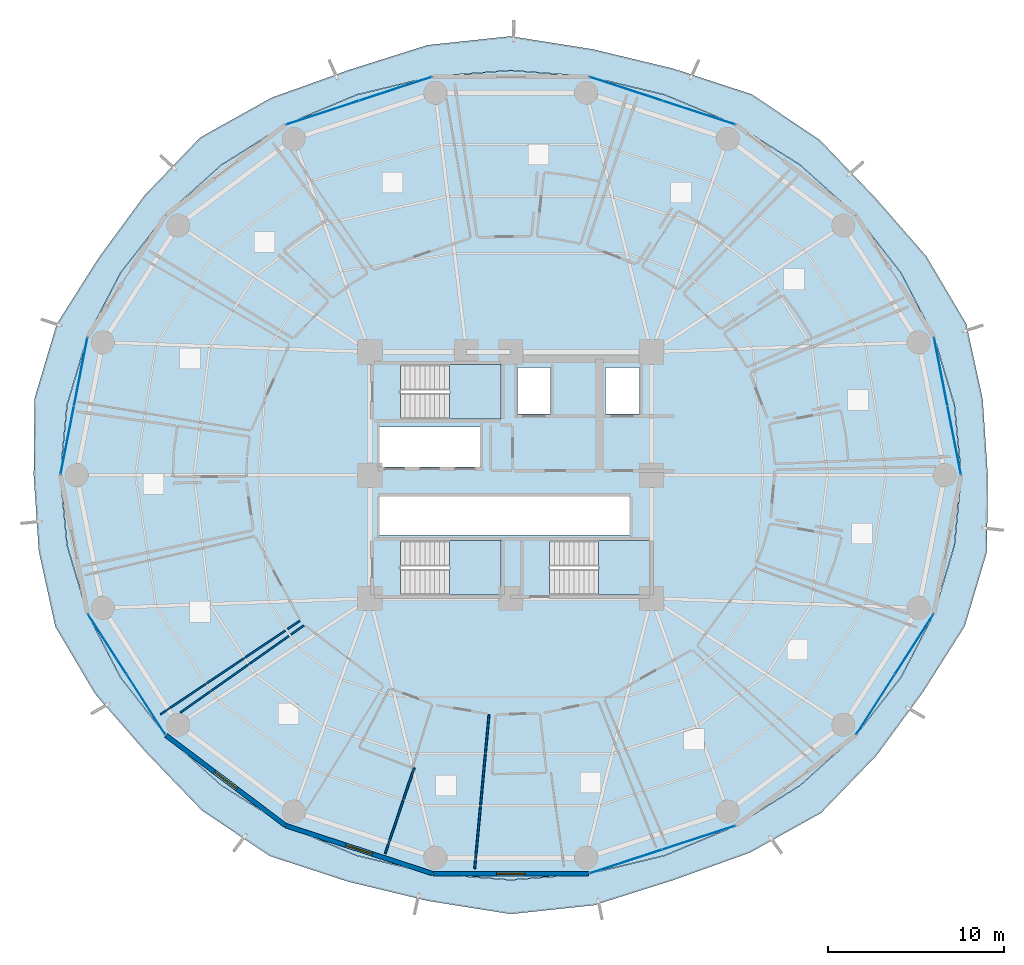
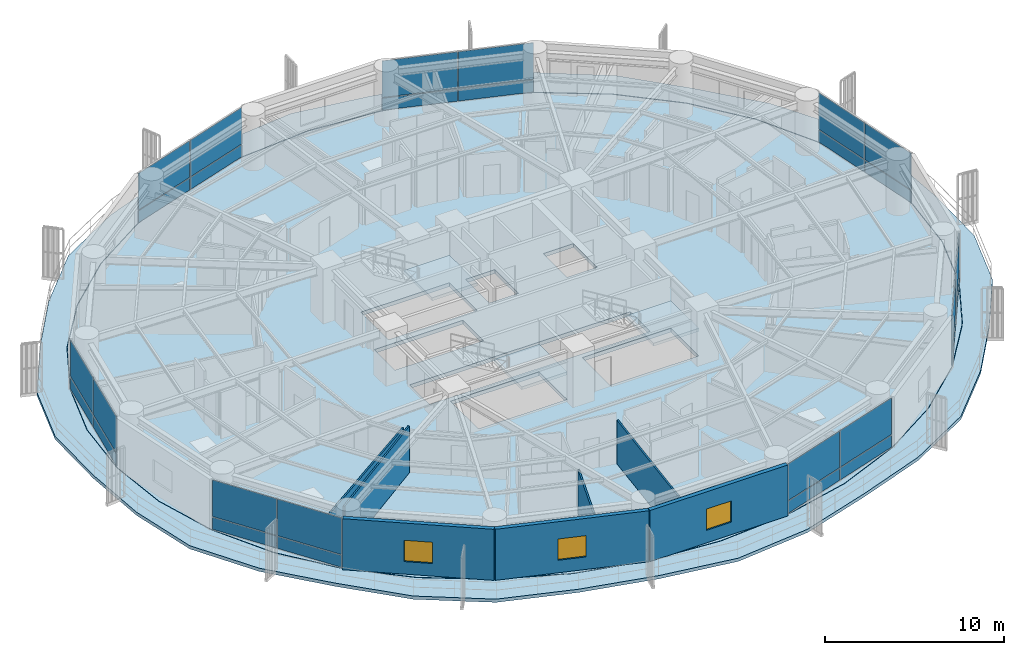
# One storey, part 26 of 35: 28 plates, 7 walls, 5 slabs, 3 windows, 3 openings, 10 elements without a shape of their own.
"""IFC4 building model written with IfcOpenShell, lengths in metres."""

from ifc_helpers import new_model, si_unit, direction, frame, frame_2d, origin, origin_2d, place, context, subcontext, project, spatial, polyline, rectangle, outline, extrude, source, transform, mapped, material, layer, layer_set, type_object, element, fill, aggregate, save


model = new_model("IFC4")

# Units and contexts
model_context = context("Model", 3, precision=1e-05, world=origin(), true_north=direction((0.0, 1.0)))
body_context = subcontext(model_context, "Body", "Model", "MODEL_VIEW")
ifc_project = project(units=[si_unit("LENGTHUNIT", "METRE"), si_unit("AREAUNIT", "SQUARE_METRE"), si_unit("VOLUMEUNIT", "CUBIC_METRE"), si_unit("PLANEANGLEUNIT", "RADIAN"), si_unit("MASSUNIT", "GRAM", prefix="KILO")], contexts=[model_context])

# Site, building, storey
site_placement = place(None, origin())
site = spatial("IfcSite", under=ifc_project, at=site_placement, CompositionType="ELEMENT")
building_placement = place(site_placement, origin())
building = spatial("IfcBuilding", under=site, at=building_placement, Name="Kelanora Arch Commons", CompositionType="ELEMENT")
storey_placement = place(building_placement, frame((0.0, 0.0, 95.10009765625)))
storey = spatial("IfcBuildingStorey", under=building, at=storey_placement, Name="L24", CompositionType="ELEMENT", Elevation=95.10009765625)

# Stair, slab
ifc_material_1 = material(Name="Concrete C40/50", Category="concrete")
stair_type = type_object("IfcStairType", Name="STR-DL-375", PredefinedType="HALF_TURN_STAIR", material=ifc_material_1)
stair_1_placement = place(storey_placement, origin())
stair_1 = element("IfcStair", 1, at=stair_1_placement, inside=storey, type_object=stair_type, Name="L24 ST-T1", PredefinedType="HALF_TURN_STAIR")
ifc_layer_1 = layer(ifc_material_1, 0.199951171875)
ifc_layer_set_1 = layer_set([ifc_layer_1], Name="Concrete C40/50")
slab_type_1 = type_object("IfcSlabType", Name="SLB-STAIR-LND", PredefinedType="LANDING", material=ifc_layer_set_1)
slab_1_placement = place(storey_placement, frame((0.0, 0.0, 1.6748046875)))
slab_1 = element("IfcSlab", 2, at=slab_1_placement, type_object=slab_type_1, Name="ST-T1 landing 1", PredefinedType="LANDING", context=body_context, shape_type="SweptSolid", body=[
    extrude(outline(polyline([(70.52001953125, 61.179931640625), (73.43994140625, 61.179931640625), (73.43994140625, 64.2900390625), (70.52001953125, 64.2900390625), (70.52001953125, 61.179931640625)])), origin(), (0.0, 0.0, 1.0), 0.2001953125),
])
aggregate(stair_1, [slab_1])

stair_2_placement = place(storey_placement, origin())
stair_2 = element("IfcStair", 3, at=stair_2_placement, inside=storey, type_object=stair_type, Name="L24 ST-T2", PredefinedType="HALF_TURN_STAIR")
slab_2_placement = place(storey_placement, frame((0.0, 0.0, 1.6748046875)))
slab_2 = element("IfcSlab", 4, at=slab_2_placement, type_object=slab_type_1, Name="ST-T2 landing 1", PredefinedType="LANDING", context=body_context, shape_type="SweptSolid", body=[
    extrude(outline(polyline([(79.0, 51.179931640625), (81.919921875, 51.179931640625), (81.919921875, 54.2900390625), (79.0, 54.2900390625), (79.0, 51.179931640625)])), origin(), (0.0, 0.0, 1.0), 0.2001953125),
])
aggregate(stair_2, [slab_2])

stair_3_placement = place(storey_placement, origin())
stair_3 = element("IfcStair", 5, at=stair_3_placement, inside=storey, type_object=stair_type, Name="L24 ST-T3", PredefinedType="HALF_TURN_STAIR")
slab_3_placement = place(storey_placement, frame((0.0, 0.0, 1.6748046875)))
slab_3 = element("IfcSlab", 6, at=slab_3_placement, type_object=slab_type_1, Name="ST-T3 landing 1", PredefinedType="LANDING", context=body_context, shape_type="SweptSolid", body=[
    extrude(outline(polyline([(70.52001953125, 51.179931640625), (73.43994140625, 51.179931640625), (73.43994140625, 54.2900390625), (70.52001953125, 54.2900390625), (70.52001953125, 51.179931640625)])), origin(), (0.0, 0.0, 1.0), 0.2001953125),
])
aggregate(stair_3, [slab_3])

# Slabs
ifc_layer_2 = layer(ifc_material_1, 0.260009765625)
ifc_layer_set_2 = layer_set([ifc_layer_2], Name="Concrete C40/50")
slab_type_2 = type_object("IfcSlabType", Name="SLB-TWR-TYP", PredefinedType="FLOOR", material=ifc_layer_set_2)
slab_4_placement = place(storey_placement, frame((0.0, 0.0, -0.260009765625)))
element("IfcSlab", 7, at=slab_4_placement, inside=storey, type_object=slab_type_2, Name="Tower Floor Slab L24", PredefinedType="FLOOR", context=body_context, shape_type="SweptSolid", body=[
    extrude(outline(polyline([(99.60009765625, 58.0), (99.211181640625, 61.993896484375), (98.05615234375, 65.866455078125), (96.17041015625, 69.5), (93.610595703125, 72.7841796875), (90.455322265625, 75.618896484375), (86.800048828125, 77.918701171875), (82.755615234375, 79.61279296875), (78.4453125, 80.650634765625), (74.0, 81.0), (69.5546875, 80.650634765625), (65.244384765625, 79.61279296875), (61.199951171875, 77.918701171875), (57.544677734375, 75.618896484375), (54.389404296875, 72.7841796875), (51.82958984375, 69.5), (49.94384765625, 65.866455078125), (48.788818359375, 61.993896484375), (48.39990234375, 58.0), (48.788818359375, 54.006103515625), (49.94384765625, 50.133544921875), (51.82958984375, 46.5), (54.389404296875, 43.2158203125), (57.544677734375, 40.381103515625), (61.199951171875, 38.081298828125), (65.244384765625, 36.38720703125), (69.5546875, 35.349365234375), (74.0, 35.0), (78.4453125, 35.349365234375), (82.755615234375, 36.38720703125), (86.800048828125, 38.081298828125), (90.455322265625, 40.381103515625), (93.610595703125, 43.2158203125), (96.17041015625, 46.5), (98.05615234375, 50.133544921875), (99.211181640625, 54.006103515625), (99.60009765625, 58.0)]), holes=[polyline([(73.431884765625, 51.18798828125), (67.72802734375, 51.18798828125), (67.72802734375, 54.281982421875), (73.431884765625, 54.281982421875), (73.431884765625, 51.18798828125)]), polyline([(76.2080078125, 51.18798828125), (76.2080078125, 54.281982421875), (81.912109375, 54.281982421875), (81.912109375, 51.18798828125), (76.2080078125, 51.18798828125)]), polyline([(66.550048828125, 54.60009765625), (66.550048828125, 56.800048828125), (80.75, 56.800048828125), (80.75, 54.60009765625), (66.550048828125, 54.60009765625)]), polyline([(66.550048828125, 58.449951171875), (66.550048828125, 60.75), (72.25, 60.75), (72.25, 58.449951171875), (66.550048828125, 58.449951171875)]), polyline([(67.72802734375, 61.18798828125), (67.72802734375, 64.281982421875), (73.431884765625, 64.281982421875), (73.431884765625, 61.18798828125), (67.72802734375, 61.18798828125)]), polyline([(74.3798828125, 61.47998046875), (74.3798828125, 64.1201171875), (76.260009765625, 64.1201171875), (76.260009765625, 61.47998046875), (74.3798828125, 61.47998046875)]), polyline([(79.3798828125, 61.47998046875), (79.3798828125, 64.1201171875), (81.320068359375, 64.1201171875), (81.320068359375, 61.47998046875), (79.3798828125, 61.47998046875)])]), origin(), (0.0, 0.0, 1.0), 0.260009765625),
])
ifc_layer_3 = layer(ifc_material_1, 0.219970703125)
ifc_layer_set_3 = layer_set([ifc_layer_3], Name="Concrete C40/50")
slab_type_3 = type_object("IfcSlabType", Name="SLB-WAVE-BAL", PredefinedType="FLOOR", material=ifc_layer_set_3)
slab_5_placement = place(storey_placement, frame((0.0, 0.0, -0.22021484375)))
element("IfcSlab", 8, at=slab_5_placement, inside=storey, type_object=slab_type_3, Name="Sinusoidal Wave Balcony Slab L24", PredefinedType="FLOOR", context=body_context, shape_type="SweptSolid", body=[
    extrude(outline(polyline([(101.1181640625, 58.0), (100.829345703125, 62.3115234375), (99.89208984375, 66.610107421875), (97.62939453125, 70.437744140625), (94.698486328125, 73.800048828125), (91.551025390625, 77.072509765625), (87.698486328125, 79.650634765625), (83.244873046875, 81.10888671875), (78.691650390625, 82.205078125), (74.0, 82.951171875), (69.269775390625, 82.4482421875), (64.78173828125, 81.027587890625), (60.4013671875, 79.45849609375), (56.352294921875, 77.20068359375), (53.18408203125, 73.90966796875), (50.552490234375, 70.32080078125), (48.187255859375, 66.578125), (46.92919921875, 62.35888671875), (46.8818359375, 58.0), (47.170654296875, 53.6884765625), (48.10791015625, 49.389892578125), (50.37060546875, 45.562255859375), (53.301513671875, 42.199951171875), (56.448974609375, 38.927490234375), (60.301513671875, 36.349365234375), (64.755126953125, 34.89111328125), (69.308349609375, 33.794921875), (74.0, 33.048828125), (78.730224609375, 33.5517578125), (83.21826171875, 34.972412109375), (87.5986328125, 36.54150390625), (91.647705078125, 38.79931640625), (94.81591796875, 42.09033203125), (97.447509765625, 45.67919921875), (99.812744140625, 49.421875), (101.07080078125, 53.64111328125), (101.1181640625, 58.0)]), holes=[polyline([(99.230712890625, 54.002685546875), (98.074951171875, 50.126708984375), (96.1875, 46.489990234375), (93.626220703125, 43.202880859375), (90.46826171875, 40.36572265625), (86.81005859375, 38.064208984375), (82.7626953125, 36.368408203125), (78.448974609375, 35.32958984375), (74.0, 34.97998046875), (69.551025390625, 35.32958984375), (65.2373046875, 36.368408203125), (61.18994140625, 38.064208984375), (57.53173828125, 40.36572265625), (54.373779296875, 43.202880859375), (51.8125, 46.489990234375), (49.925048828125, 50.126708984375), (48.769287109375, 54.002685546875), (48.3798828125, 58.0), (48.769287109375, 61.997314453125), (49.925048828125, 65.873291015625), (51.8125, 69.510009765625), (54.373779296875, 72.797119140625), (57.53173828125, 75.63427734375), (61.18994140625, 77.935791015625), (65.2373046875, 79.631591796875), (69.551025390625, 80.67041015625), (74.0, 81.02001953125), (78.448974609375, 80.67041015625), (82.7626953125, 79.631591796875), (86.81005859375, 77.935791015625), (90.46826171875, 75.63427734375), (93.626220703125, 72.797119140625), (96.1875, 69.510009765625), (98.074951171875, 65.873291015625), (99.230712890625, 61.997314453125), (99.6201171875, 58.0), (99.230712890625, 54.002685546875)])]), origin(), (0.0, 0.0, 1.0), 0.22021484375),
])

# Curtain wall, plates
ifc_material_2 = material(Name="Terracotta ceramic-fritted low-E glass and aluminium", Category="masonry")
ifc_layer_4 = layer(ifc_material_2, 0.159912109375)
ifc_layer_set_4 = layer_set([ifc_layer_4], Name="Terracotta ceramic-fritted low-E glass and aluminium")
curtain_wall_type = type_object("IfcCurtainWallType", Name="CW-SYS-01", PredefinedType="NOTDEFINED", material=ifc_layer_set_4)
curtain_wall_1_placement = place(storey_placement, origin())
curtain_wall_1 = element("IfcCurtainWall", 9, at=curtain_wall_1_placement, inside=storey, type_object=curtain_wall_type, Name="Unitised Curtain Wall L24-B00", PredefinedType="NOTDEFINED")
ifc_material_3 = material(Name="Terracotta ceramic-fritted double glazing", Category="masonry")
ifc_layer_5 = layer(ifc_material_3, 0.028076171875)
ifc_layer_set_5 = layer_set([ifc_layer_5], Name="Terracotta ceramic-fritted double glazing")
plate_type = type_object("IfcPlateType", Name="CWP-FRIT", PredefinedType="CURTAIN_PANEL", material=ifc_layer_set_5)
shared_shape_1 = source(origin(), body_context, "Body", "SweptSolid", [
    extrude(rectangle(XDim=3.9033203125, YDim=0.028076171875, at=origin_2d()), origin(), (0.0, 0.0, 1.0), 0.81005859375),
])
plate_1_placement = place(storey_placement, frame((99.209716796875, 59.98876953125, 0.059814453125), z_axis=(0.0, 0.0, 1.0), x_axis=(-0.192584916272, 0.981280311646, 0.0)))
plate_1 = element("IfcPlate", 10, at=plate_1_placement, type_object=plate_type, Name="CW-01 panel 1.1", PredefinedType="CURTAIN_PANEL", context=body_context, shape_type="MappedRepresentation", body=[
    mapped(shared_shape_1, transform((0.0, 0.0, 0.0), scale=1.0)),
])
plate_2_placement = place(storey_placement, frame((98.446533203125, 63.877685546875, 0.059814453125), z_axis=(0.0, 0.0, 1.0), x_axis=(-0.192584916272, 0.981280311646, 0.0)))
plate_2 = element("IfcPlate", 11, at=plate_2_placement, type_object=plate_type, Name="CW-01 panel 2.1", PredefinedType="CURTAIN_PANEL", context=body_context, shape_type="MappedRepresentation", body=[
    mapped(shared_shape_1, transform((0.0, 0.0, 0.0), scale=1.0)),
])

curtain_wall_2_placement = place(storey_placement, origin())
curtain_wall_2 = element("IfcCurtainWall", 12, at=curtain_wall_2_placement, inside=storey, type_object=curtain_wall_type, Name="Unitised Curtain Wall L24-B08", PredefinedType="NOTDEFINED")
plate_3_placement = place(storey_placement, frame((49.553466796875, 63.877685546875, 0.059814453125), z_axis=(0.0, 0.0, 1.0), x_axis=(-0.192584916272, -0.981280311646, 0.0)))
plate_3 = element("IfcPlate", 13, at=plate_3_placement, type_object=plate_type, Name="CW-01 panel 1.1", PredefinedType="CURTAIN_PANEL", context=body_context, shape_type="MappedRepresentation", body=[
    mapped(shared_shape_1, transform((0.0, 0.0, 0.0), scale=1.0)),
])
plate_4_placement = place(storey_placement, frame((48.790283203125, 59.98876953125, 0.059814453125), z_axis=(0.0, 0.0, 1.0), x_axis=(-0.192584916272, -0.981280311646, 0.0)))
plate_4 = element("IfcPlate", 14, at=plate_4_placement, type_object=plate_type, Name="CW-01 panel 2.1", PredefinedType="CURTAIN_PANEL", context=body_context, shape_type="MappedRepresentation", body=[
    mapped(shared_shape_1, transform((0.0, 0.0, 0.0), scale=1.0)),
])

# Plate
shared_shape_2 = source(origin(), body_context, "Body", "SweptSolid", [
    extrude(rectangle(XDim=3.9033203125, YDim=0.028076171875, at=origin_2d()), origin(), (0.0, 0.0, 1.0), 2.485107421875),
])
plate_5_placement = place(storey_placement, frame((99.209716796875, 59.98876953125, 0.9296875), z_axis=(0.0, 0.0, 1.0), x_axis=(-0.192584916272, 0.981280311646, 0.0)))
plate_5 = element("IfcPlate", 15, at=plate_5_placement, type_object=plate_type, Name="CW-01 panel 1.2", PredefinedType="CURTAIN_PANEL", context=body_context, shape_type="MappedRepresentation", body=[
    mapped(shared_shape_2, transform((0.0, 0.0, 0.0), scale=1.0)),
])

plate_6_placement = place(storey_placement, frame((98.446533203125, 63.877685546875, 0.9296875), z_axis=(0.0, 0.0, 1.0), x_axis=(-0.192584916272, 0.981280311646, 0.0)))
plate_6 = element("IfcPlate", 16, at=plate_6_placement, type_object=plate_type, Name="CW-01 panel 2.2", PredefinedType="CURTAIN_PANEL", context=body_context, shape_type="MappedRepresentation", body=[
    mapped(shared_shape_2, transform((0.0, 0.0, 0.0), scale=1.0)),
])

aggregate(curtain_wall_1, [plate_1, plate_5, plate_2, plate_6])

plate_7_placement = place(storey_placement, frame((49.553466796875, 63.877685546875, 0.9296875), z_axis=(0.0, 0.0, 1.0), x_axis=(-0.192584916272, -0.981280311646, 0.0)))
plate_7 = element("IfcPlate", 17, at=plate_7_placement, type_object=plate_type, Name="CW-01 panel 1.2", PredefinedType="CURTAIN_PANEL", context=body_context, shape_type="MappedRepresentation", body=[
    mapped(shared_shape_2, transform((0.0, 0.0, 0.0), scale=1.0)),
])

plate_8_placement = place(storey_placement, frame((48.790283203125, 59.98876953125, 0.9296875), z_axis=(0.0, 0.0, 1.0), x_axis=(-0.192584916272, -0.981280311646, 0.0)))
plate_8 = element("IfcPlate", 18, at=plate_8_placement, type_object=plate_type, Name="CW-01 panel 2.2", PredefinedType="CURTAIN_PANEL", context=body_context, shape_type="MappedRepresentation", body=[
    mapped(shared_shape_2, transform((0.0, 0.0, 0.0), scale=1.0)),
])

aggregate(curtain_wall_2, [plate_3, plate_7, plate_4, plate_8])

# Curtain wall, plates
curtain_wall_3_placement = place(storey_placement, origin())
curtain_wall_3 = element("IfcCurtainWall", 19, at=curtain_wall_3_placement, inside=storey, type_object=curtain_wall_type, Name="Unitised Curtain Wall L24-B03", PredefinedType="NOTDEFINED")
shared_shape_3 = source(origin(), body_context, "Body", "SweptSolid", [
    extrude(rectangle(XDim=4.2900390625, YDim=0.028076171875, at=origin_2d()), origin(), (0.0, 0.0, 1.0), 0.81005859375),
])
plate_9_placement = place(storey_placement, frame((84.68994140625, 78.608642578125, 0.059814453125), z_axis=(0.0, 0.0, 1.0), x_axis=(-0.950473795867, 0.31080470294, 0.0)))
plate_9 = element("IfcPlate", 20, at=plate_9_placement, type_object=plate_type, Name="CW-01 panel 1.1", PredefinedType="CURTAIN_PANEL", context=body_context, shape_type="MappedRepresentation", body=[
    mapped(shared_shape_3, transform((0.0, 0.0, 0.0), scale=1.0)),
])
plate_10_placement = place(storey_placement, frame((80.555419921875, 79.960693359375, 0.059814453125), z_axis=(0.0, 0.0, 1.0), x_axis=(-0.950473795867, 0.31080470294, 0.0)))
plate_10 = element("IfcPlate", 21, at=plate_10_placement, type_object=plate_type, Name="CW-01 panel 2.1", PredefinedType="CURTAIN_PANEL", context=body_context, shape_type="MappedRepresentation", body=[
    mapped(shared_shape_3, transform((0.0, 0.0, 0.0), scale=1.0)),
])

curtain_wall_4_placement = place(storey_placement, origin())
curtain_wall_4 = element("IfcCurtainWall", 22, at=curtain_wall_4_placement, inside=storey, type_object=curtain_wall_type, Name="Unitised Curtain Wall L24-B05", PredefinedType="NOTDEFINED")
plate_11_placement = place(storey_placement, frame((67.444580078125, 79.960693359375, 0.059814453125), z_axis=(0.0, 0.0, 1.0), x_axis=(-0.950473795867, -0.31080470294, 0.0)))
plate_11 = element("IfcPlate", 23, at=plate_11_placement, type_object=plate_type, Name="CW-01 panel 1.1", PredefinedType="CURTAIN_PANEL", context=body_context, shape_type="MappedRepresentation", body=[
    mapped(shared_shape_3, transform((0.0, 0.0, 0.0), scale=1.0)),
])
plate_12_placement = place(storey_placement, frame((63.31005859375, 78.608642578125, 0.059814453125), z_axis=(0.0, 0.0, 1.0), x_axis=(-0.950473795867, -0.31080470294, 0.0)))
plate_12 = element("IfcPlate", 24, at=plate_12_placement, type_object=plate_type, Name="CW-01 panel 2.1", PredefinedType="CURTAIN_PANEL", context=body_context, shape_type="MappedRepresentation", body=[
    mapped(shared_shape_3, transform((0.0, 0.0, 0.0), scale=1.0)),
])

curtain_wall_5_placement = place(storey_placement, origin())
curtain_wall_5 = element("IfcCurtainWall", 25, at=curtain_wall_5_placement, inside=storey, type_object=curtain_wall_type, Name="Unitised Curtain Wall L24-B14", PredefinedType="NOTDEFINED")
plate_13_placement = place(storey_placement, frame((80.555419921875, 36.039306640625, 0.059814453125), z_axis=(0.0, 0.0, 1.0), x_axis=(0.950473795867, 0.31080470294, 0.0)))
plate_13 = element("IfcPlate", 26, at=plate_13_placement, type_object=plate_type, Name="CW-01 panel 1.1", PredefinedType="CURTAIN_PANEL", context=body_context, shape_type="MappedRepresentation", body=[
    mapped(shared_shape_3, transform((0.0, 0.0, 0.0), scale=1.0)),
])
plate_14_placement = place(storey_placement, frame((84.68994140625, 37.391357421875, 0.059814453125), z_axis=(0.0, 0.0, 1.0), x_axis=(0.950473795867, 0.31080470294, 0.0)))
plate_14 = element("IfcPlate", 27, at=plate_14_placement, type_object=plate_type, Name="CW-01 panel 2.1", PredefinedType="CURTAIN_PANEL", context=body_context, shape_type="MappedRepresentation", body=[
    mapped(shared_shape_3, transform((0.0, 0.0, 0.0), scale=1.0)),
])

# Plate
shared_shape_4 = source(origin(), body_context, "Body", "SweptSolid", [
    extrude(rectangle(XDim=4.2900390625, YDim=0.028076171875, at=origin_2d()), origin(), (0.0, 0.0, 1.0), 2.485107421875),
])
plate_15_placement = place(storey_placement, frame((84.68994140625, 78.608642578125, 0.9296875), z_axis=(0.0, 0.0, 1.0), x_axis=(-0.950473795867, 0.31080470294, 0.0)))
plate_15 = element("IfcPlate", 28, at=plate_15_placement, type_object=plate_type, Name="CW-01 panel 1.2", PredefinedType="CURTAIN_PANEL", context=body_context, shape_type="MappedRepresentation", body=[
    mapped(shared_shape_4, transform((0.0, 0.0, 0.0), scale=1.0)),
])

plate_16_placement = place(storey_placement, frame((80.555419921875, 79.960693359375, 0.9296875), z_axis=(0.0, 0.0, 1.0), x_axis=(-0.950473795867, 0.31080470294, 0.0)))
plate_16 = element("IfcPlate", 29, at=plate_16_placement, type_object=plate_type, Name="CW-01 panel 2.2", PredefinedType="CURTAIN_PANEL", context=body_context, shape_type="MappedRepresentation", body=[
    mapped(shared_shape_4, transform((0.0, 0.0, 0.0), scale=1.0)),
])

aggregate(curtain_wall_3, [plate_9, plate_15, plate_10, plate_16])

plate_17_placement = place(storey_placement, frame((67.444580078125, 79.960693359375, 0.9296875), z_axis=(0.0, 0.0, 1.0), x_axis=(-0.950473795867, -0.31080470294, 0.0)))
plate_17 = element("IfcPlate", 30, at=plate_17_placement, type_object=plate_type, Name="CW-01 panel 1.2", PredefinedType="CURTAIN_PANEL", context=body_context, shape_type="MappedRepresentation", body=[
    mapped(shared_shape_4, transform((0.0, 0.0, 0.0), scale=1.0)),
])

plate_18_placement = place(storey_placement, frame((63.31005859375, 78.608642578125, 0.9296875), z_axis=(0.0, 0.0, 1.0), x_axis=(-0.950473795867, -0.31080470294, 0.0)))
plate_18 = element("IfcPlate", 31, at=plate_18_placement, type_object=plate_type, Name="CW-01 panel 2.2", PredefinedType="CURTAIN_PANEL", context=body_context, shape_type="MappedRepresentation", body=[
    mapped(shared_shape_4, transform((0.0, 0.0, 0.0), scale=1.0)),
])

aggregate(curtain_wall_4, [plate_11, plate_17, plate_12, plate_18])

plate_19_placement = place(storey_placement, frame((80.555419921875, 36.039306640625, 0.9296875), z_axis=(0.0, 0.0, 1.0), x_axis=(0.950473795867, 0.31080470294, 0.0)))
plate_19 = element("IfcPlate", 32, at=plate_19_placement, type_object=plate_type, Name="CW-01 panel 1.2", PredefinedType="CURTAIN_PANEL", context=body_context, shape_type="MappedRepresentation", body=[
    mapped(shared_shape_4, transform((0.0, 0.0, 0.0), scale=1.0)),
])

plate_20_placement = place(storey_placement, frame((84.68994140625, 37.391357421875, 0.9296875), z_axis=(0.0, 0.0, 1.0), x_axis=(0.950473795867, 0.31080470294, 0.0)))
plate_20 = element("IfcPlate", 33, at=plate_20_placement, type_object=plate_type, Name="CW-01 panel 2.2", PredefinedType="CURTAIN_PANEL", context=body_context, shape_type="MappedRepresentation", body=[
    mapped(shared_shape_4, transform((0.0, 0.0, 0.0), scale=1.0)),
])

aggregate(curtain_wall_5, [plate_13, plate_19, plate_14, plate_20])

# Curtain wall, plates
curtain_wall_6_placement = place(storey_placement, origin())
curtain_wall_6 = element("IfcCurtainWall", 34, at=curtain_wall_6_placement, inside=storey, type_object=curtain_wall_type, Name="Unitised Curtain Wall L24-B10", PredefinedType="NOTDEFINED")
shared_shape_5 = source(origin(), body_context, "Body", "SweptSolid", [
    extrude(rectangle(XDim=4.00634765625, YDim=0.028076171875, at=origin_2d()), origin(), (0.0, 0.0, 1.0), 0.81005859375),
])
plate_21_placement = place(storey_placement, frame((51.0673828125, 48.38525390625, 0.059814453125), z_axis=(0.0, 0.0, 1.0), x_axis=(0.540616931244, -0.841268883088, 0.0)))
plate_21 = element("IfcPlate", 35, at=plate_21_placement, type_object=plate_type, Name="CW-01 panel 1.1", PredefinedType="CURTAIN_PANEL", context=body_context, shape_type="MappedRepresentation", body=[
    mapped(shared_shape_5, transform((0.0, 0.0, 0.0), scale=1.0)),
])
plate_22_placement = place(storey_placement, frame((53.265869140625, 44.964111328125, 0.059814453125), z_axis=(0.0, 0.0, 1.0), x_axis=(0.540616931244, -0.841268883088, 0.0)))
plate_22 = element("IfcPlate", 36, at=plate_22_placement, type_object=plate_type, Name="CW-01 panel 2.1", PredefinedType="CURTAIN_PANEL", context=body_context, shape_type="MappedRepresentation", body=[
    mapped(shared_shape_5, transform((0.0, 0.0, 0.0), scale=1.0)),
])

curtain_wall_7_placement = place(storey_placement, origin())
curtain_wall_7 = element("IfcCurtainWall", 37, at=curtain_wall_7_placement, inside=storey, type_object=curtain_wall_type, Name="Unitised Curtain Wall L24-B16", PredefinedType="NOTDEFINED")
plate_23_placement = place(storey_placement, frame((94.734130859375, 44.964111328125, 0.059814453125), z_axis=(0.0, 0.0, 1.0), x_axis=(0.540616931244, 0.841268883088, 0.0)))
plate_23 = element("IfcPlate", 38, at=plate_23_placement, type_object=plate_type, Name="CW-01 panel 1.1", PredefinedType="CURTAIN_PANEL", context=body_context, shape_type="MappedRepresentation", body=[
    mapped(shared_shape_5, transform((0.0, 0.0, 0.0), scale=1.0)),
])
plate_24_placement = place(storey_placement, frame((96.9326171875, 48.38525390625, 0.059814453125), z_axis=(0.0, 0.0, 1.0), x_axis=(0.540616931244, 0.841268883088, 0.0)))
plate_24 = element("IfcPlate", 39, at=plate_24_placement, type_object=plate_type, Name="CW-01 panel 2.1", PredefinedType="CURTAIN_PANEL", context=body_context, shape_type="MappedRepresentation", body=[
    mapped(shared_shape_5, transform((0.0, 0.0, 0.0), scale=1.0)),
])

# Plate
shared_shape_6 = source(origin(), body_context, "Body", "SweptSolid", [
    extrude(rectangle(XDim=4.00634765625, YDim=0.028076171875, at=origin_2d()), origin(), (0.0, 0.0, 1.0), 2.485107421875),
])
plate_25_placement = place(storey_placement, frame((51.0673828125, 48.38525390625, 0.9296875), z_axis=(0.0, 0.0, 1.0), x_axis=(0.540616931244, -0.841268883088, 0.0)))
plate_25 = element("IfcPlate", 40, at=plate_25_placement, type_object=plate_type, Name="CW-01 panel 1.2", PredefinedType="CURTAIN_PANEL", context=body_context, shape_type="MappedRepresentation", body=[
    mapped(shared_shape_6, transform((0.0, 0.0, 0.0), scale=1.0)),
])

plate_26_placement = place(storey_placement, frame((53.265869140625, 44.964111328125, 0.9296875), z_axis=(0.0, 0.0, 1.0), x_axis=(0.540616931244, -0.841268883088, 0.0)))
plate_26 = element("IfcPlate", 41, at=plate_26_placement, type_object=plate_type, Name="CW-01 panel 2.2", PredefinedType="CURTAIN_PANEL", context=body_context, shape_type="MappedRepresentation", body=[
    mapped(shared_shape_6, transform((0.0, 0.0, 0.0), scale=1.0)),
])

aggregate(curtain_wall_6, [plate_21, plate_25, plate_22, plate_26])

plate_27_placement = place(storey_placement, frame((94.734130859375, 44.964111328125, 0.9296875), z_axis=(0.0, 0.0, 1.0), x_axis=(0.540616931244, 0.841268883088, 0.0)))
plate_27 = element("IfcPlate", 42, at=plate_27_placement, type_object=plate_type, Name="CW-01 panel 1.2", PredefinedType="CURTAIN_PANEL", context=body_context, shape_type="MappedRepresentation", body=[
    mapped(shared_shape_6, transform((0.0, 0.0, 0.0), scale=1.0)),
])

plate_28_placement = place(storey_placement, frame((96.9326171875, 48.38525390625, 0.9296875), z_axis=(0.0, 0.0, 1.0), x_axis=(0.540616931244, 0.841268883088, 0.0)))
plate_28 = element("IfcPlate", 43, at=plate_28_placement, type_object=plate_type, Name="CW-01 panel 2.2", PredefinedType="CURTAIN_PANEL", context=body_context, shape_type="MappedRepresentation", body=[
    mapped(shared_shape_6, transform((0.0, 0.0, 0.0), scale=1.0)),
])

aggregate(curtain_wall_7, [plate_23, plate_27, plate_24, plate_28])

# Wall, opening, window
ifc_material_4 = material(Name="Precast concrete C40/50 with terracotta rainscreen", Category="masonry")
ifc_layer_6 = layer(ifc_material_4, 0.260009765625)
ifc_layer_set_6 = layer_set([ifc_layer_6], Name="Precast concrete C40/50 with terracotta rainscreen")
wall_type_1 = type_object("IfcWallType", Name="W-EXT-TC", PredefinedType="SOLIDWALL", material=ifc_layer_set_6)
wall_1_placement = place(storey_placement, frame((54.4013671875, 43.206787109375, 0.0), z_axis=(0.0, 0.0, 1.0), x_axis=(0.798501507879, -0.601992808857, 0.0)))
wall_1 = element("IfcWall", 44, at=wall_1_placement, inside=storey, type_object=wall_type_1, Name="Terracotta Exterior Wall L24-B11", PredefinedType="SOLIDWALL", context=body_context, shape_type="SweptSolid", body=[
    extrude(rectangle(XDim=8.499267578125, YDim=0.260009765625, at=frame_2d((4.24951171875, 0.0))), origin(), (0.0, 0.0, 1.0), 3.474853515625),
])
opening_1_placement = place(wall_1_placement, frame((3.449951171875, 0.0, 0.85009765625)))
opening_1 = element("IfcOpeningElement", 45, at=opening_1_placement, cuts=wall_1, Name="Opening WN-01", PredefinedType="OPENING", context=body_context, shape_type="SweptSolid", body=[
    extrude(rectangle(XDim=1.60009765625, YDim=1.449951171875, at=frame_2d((0.800048828125, 0.72509765625))), frame((0.0, 0.14013671875, 0.0), z_axis=(0.0, -1.0, 0.0), x_axis=(1.0, 0.0, 0.0)), (0.0, 0.0, 1.0), 0.280029296875),
])
ifc_material_5 = material(Name="Terracotta-anodised aluminium frame with operable low-E glazing", Category="masonry")
window_type = type_object("IfcWindowType", Name="WIN-CL-18", PartitioningType="DOUBLE_PANEL_VERTICAL", PredefinedType="WINDOW", material=ifc_material_5)
window_1_placement = place(opening_1_placement, origin())
window_1 = element("IfcWindow", 46, at=window_1_placement, inside=storey, type_object=window_type, Name="Co-Living Operable Window L24-B11", OverallHeight=1.449951171875, OverallWidth=1.60009765625, PartitioningType="SINGLE_PANEL", PredefinedType="WINDOW", context=body_context, shape_type="SweptSolid", body=[
    extrude(rectangle(XDim=1.60009765625, YDim=1.449951171875, at=frame_2d((0.800048828125, 0.72509765625))), frame((0.0, 0.030029296875, 0.0), z_axis=(0.0, -1.0, 0.0), x_axis=(1.0, 0.0, 0.0)), (0.0, 0.0, 1.0), 0.06005859375),
])
fill(opening_1, window_1)

wall_2_placement = place(storey_placement, frame((61.21435546875, 38.07666015625, 0.0), z_axis=(0.0, 0.0, 1.0), x_axis=(0.950471101963, -0.310812941064, 0.0)))
wall_2 = element("IfcWall", 47, at=wall_2_placement, inside=storey, type_object=wall_type_1, Name="Terracotta Exterior Wall L24-B12", PredefinedType="SOLIDWALL", context=body_context, shape_type="SweptSolid", body=[
    extrude(rectangle(XDim=8.759765625, YDim=0.260009765625, at=frame_2d((4.3798828125, 0.0))), origin(), (0.0, 0.0, 1.0), 3.474853515625),
])
opening_2_placement = place(wall_2_placement, frame((3.580078125, 0.0, 0.85009765625)))
opening_2 = element("IfcOpeningElement", 48, at=opening_2_placement, cuts=wall_2, Name="Opening WN-01", PredefinedType="OPENING", context=body_context, shape_type="SweptSolid", body=[
    extrude(rectangle(XDim=1.60009765625, YDim=1.449951171875, at=frame_2d((0.800048828125, 0.72509765625))), frame((0.0, 0.14013671875, 0.0), z_axis=(0.0, -1.0, 0.0), x_axis=(1.0, 0.0, 0.0)), (0.0, 0.0, 1.0), 0.280029296875),
])
window_2_placement = place(opening_2_placement, origin())
window_2 = element("IfcWindow", 49, at=window_2_placement, inside=storey, type_object=window_type, Name="Co-Living Operable Window L24-B12", OverallHeight=1.449951171875, OverallWidth=1.60009765625, PartitioningType="SINGLE_PANEL", PredefinedType="WINDOW", context=body_context, shape_type="SweptSolid", body=[
    extrude(rectangle(XDim=1.60009765625, YDim=1.449951171875, at=frame_2d((0.800048828125, 0.72509765625))), frame((0.0, 0.030029296875, 0.0), z_axis=(0.0, -1.0, 0.0), x_axis=(1.0, 0.0, 0.0)), (0.0, 0.0, 1.0), 0.06005859375),
])
fill(opening_2, window_2)

wall_3_placement = place(storey_placement, frame((69.569580078125, 35.349365234375, 0.0), z_axis=(0.0, 0.0, 1.0), x_axis=(1.0, 0.0, 0.0)))
wall_3 = element("IfcWall", 50, at=wall_3_placement, inside=storey, type_object=wall_type_1, Name="Terracotta Exterior Wall L24-B13", PredefinedType="SOLIDWALL", context=body_context, shape_type="SweptSolid", body=[
    extrude(rectangle(XDim=8.86083984375, YDim=0.260009765625, at=frame_2d((4.430419921875, 0.0))), origin(), (0.0, 0.0, 1.0), 3.474853515625),
])
opening_3_placement = place(wall_3_placement, frame((3.6298828125, 0.0, 0.85009765625)))
opening_3 = element("IfcOpeningElement", 51, at=opening_3_placement, cuts=wall_3, Name="Opening WN-01", PredefinedType="OPENING", context=body_context, shape_type="SweptSolid", body=[
    extrude(rectangle(XDim=1.60009765625, YDim=1.449951171875, at=frame_2d((0.800048828125, 0.72509765625))), frame((0.0, 0.14013671875, 0.0), z_axis=(0.0, -1.0, 0.0), x_axis=(1.0, 0.0, 0.0)), (0.0, 0.0, 1.0), 0.280029296875),
])
window_3_placement = place(opening_3_placement, origin())
window_3 = element("IfcWindow", 52, at=window_3_placement, inside=storey, type_object=window_type, Name="Co-Living Operable Window L24-B13", OverallHeight=1.449951171875, OverallWidth=1.60009765625, PartitioningType="SINGLE_PANEL", PredefinedType="WINDOW", context=body_context, shape_type="SweptSolid", body=[
    extrude(rectangle(XDim=1.60009765625, YDim=1.449951171875, at=frame_2d((0.800048828125, 0.72509765625))), frame((0.0, 0.030029296875, 0.0), z_axis=(0.0, -1.0, 0.0), x_axis=(1.0, 0.0, 0.0)), (0.0, 0.0, 1.0), 0.06005859375),
])
fill(opening_3, window_3)

# Walls
ifc_material_6 = material(Name="Lightweight fire-rated acoustic stud partition")
ifc_layer_7 = layer(ifc_material_6, 0.10009765625)
ifc_layer_set_7 = layer_set([ifc_layer_7], Name="Lightweight fire-rated acoustic stud partition")
wall_type_2 = type_object("IfcWallType", Name="W-PART-100", PredefinedType="PARTITIONING", material=ifc_layer_set_7)
wall_4_placement = place(storey_placement, frame((62.0107421875, 49.7177734375, 0.0), z_axis=(0.0, 0.0, 1.0), x_axis=(-0.830433607217, -0.557117603388, 0.0)))
element("IfcWall", 53, at=wall_4_placement, inside=storey, type_object=wall_type_2, Name="Quiet Seminar Study Room L24-08 Enclosure Partition 2", PredefinedType="PARTITIONING", context=body_context, shape_type="SweptSolid", body=[
    extrude(rectangle(XDim=9.546142578125, YDim=0.10009765625, at=frame_2d((4.77294921875, 0.0))), origin(), (0.0, 0.0, 1.0), 2.974853515625),
])
wall_5_placement = place(storey_placement, frame((55.210205078125, 44.49755859375, 0.0), z_axis=(0.0, 0.0, 1.0), x_axis=(0.817133838915, 0.576447993578, 0.0)))
element("IfcWall", 54, at=wall_5_placement, inside=storey, type_object=wall_type_2, Name="Communal Dining and Social Hall L24-09 Enclosure Partition 4", PredefinedType="PARTITIONING", context=body_context, shape_type="SweptSolid", body=[
    extrude(rectangle(XDim=8.599609375, YDim=0.10009765625, at=frame_2d((4.2998046875, 0.0))), origin(), (0.0, 0.0, 1.0), 3.1748046875),
])
wall_6_placement = place(storey_placement, frame((72.764404296875, 44.376220703125, 0.0), z_axis=(0.0, 0.0, 1.0), x_axis=(-0.092917687898, -0.995673793607, 0.0)))
element("IfcWall", 55, at=wall_6_placement, inside=storey, type_object=wall_type_2, Name="Quiet Reading Carrel L24-10 Enclosure Partition 2", PredefinedType="PARTITIONING", context=body_context, shape_type="SweptSolid", body=[
    extrude(rectangle(XDim=8.778564453125, YDim=0.10009765625, at=frame_2d((4.38916015625, 0.0))), origin(), (0.0, 0.0, 1.0), 2.974853515625),
])
wall_7_placement = place(storey_placement, frame((66.86669921875, 36.489990234375, 0.0), z_axis=(0.0, 0.0, 1.0), x_axis=(0.319911741109, 0.947447348353, 0.0)))
element("IfcWall", 56, at=wall_7_placement, inside=storey, type_object=wall_type_2, Name="Quiet Reading Carrel L24-10 Enclosure Partition 4", PredefinedType="PARTITIONING", context=body_context, shape_type="SweptSolid", body=[
    extrude(rectangle(XDim=5.14599609375, YDim=0.10009765625, at=frame_2d((2.572998046875, 0.0))), origin(), (0.0, 0.0, 1.0), 2.9248046875),
])

save(model, "model.ifc")
